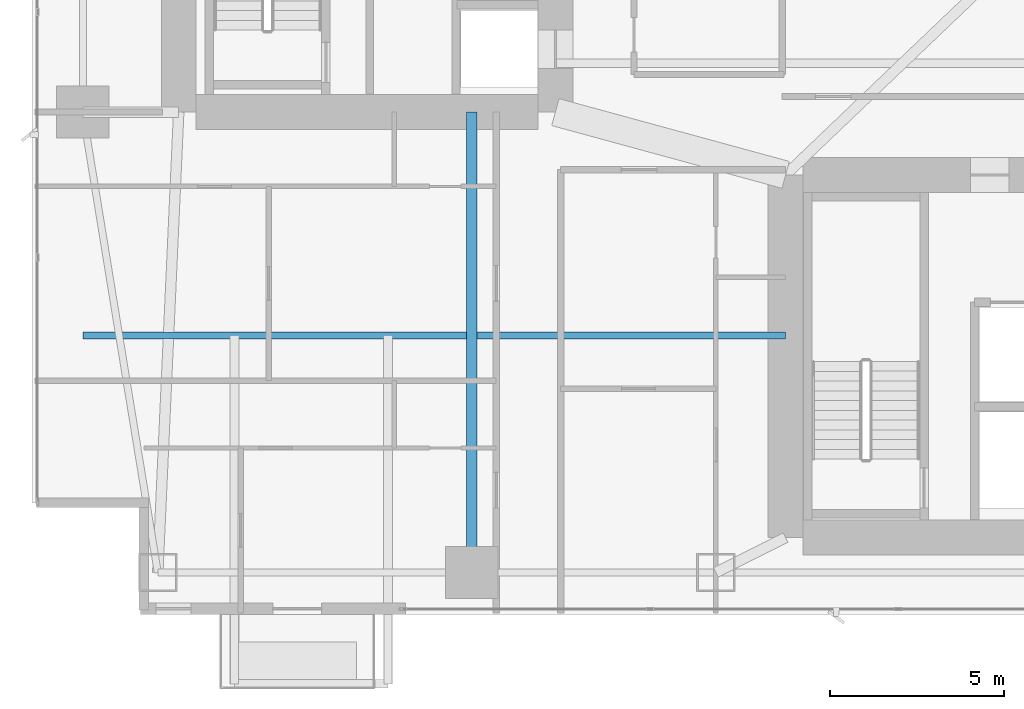
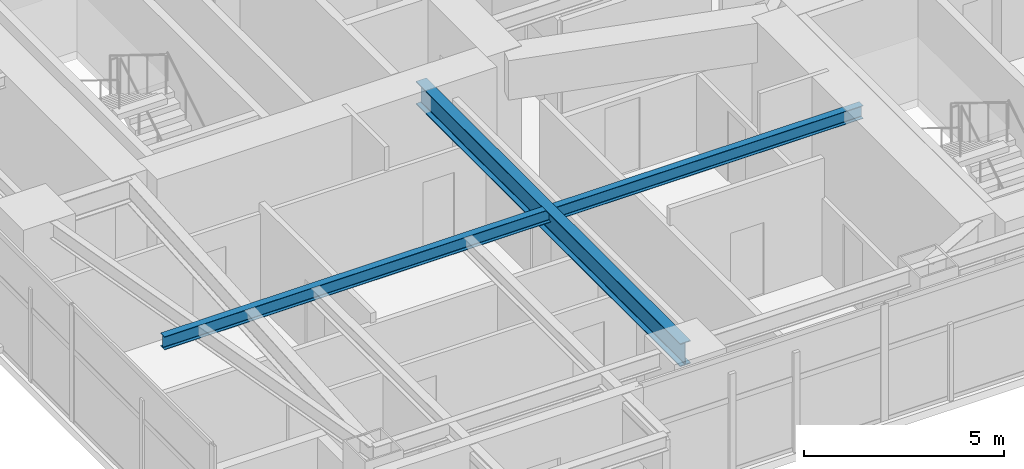
# One storey, part 5 of 30: 2 beams.
"""IFC4 building model written with IfcOpenShell, lengths in metres."""

from ifc_helpers import new_model, si_unit, direction, frame, origin, origin_2d, place, context, subcontext, project, spatial, i_section, extrude, material, material_profile, profile_set, type_object, element, save


model = new_model("IFC4")

# Units and contexts
model_context = context("Model", 3, precision=1e-05, world=origin(), true_north=direction((0.0, 1.0)))
body_context = subcontext(model_context, "Body", "Model", "MODEL_VIEW")
ifc_project = project(units=[si_unit("LENGTHUNIT", "METRE"), si_unit("AREAUNIT", "SQUARE_METRE"), si_unit("VOLUMEUNIT", "CUBIC_METRE"), si_unit("PLANEANGLEUNIT", "RADIAN"), si_unit("MASSUNIT", "GRAM", prefix="KILO")], contexts=[model_context])

# Site, building, storey
site_placement = place(None, origin())
site = spatial("IfcSite", under=ifc_project, at=site_placement, CompositionType="ELEMENT")
building_placement = place(site_placement, origin())
building = spatial("IfcBuilding", under=site, at=building_placement, Name="Calvorn Quay Hotel", CompositionType="ELEMENT")
storey_placement = place(building_placement, frame((0.0, 0.0, 30.800048828125)))
storey = spatial("IfcBuildingStorey", under=building, at=storey_placement, Name="L06", CompositionType="ELEMENT", Elevation=30.800048828125)

# Beams
ifc_material_1 = material(Name="Steel Q390GJC", Category="steel")
ifc_material_profile_1 = material_profile(ifc_material_1, i_section(OverallWidth=0.300048828125, OverallDepth=0.699951171875, WebThickness=0.012939453125, FlangeThickness=0.02392578125, FilletRadius=0.02392578125, at=origin_2d()), Name="HN700x300x13x24")
ifc_profile_set_1 = profile_set([ifc_material_profile_1], Name="Steel Q390GJC")
beam_type_1 = type_object("IfcBeamType", Name="BM-GIRD-MAIN", PredefinedType="BEAM", material=ifc_profile_set_1)
beam_1_placement = place(storey_placement, frame((12.60009765625, 3.60009765625, 3.18994140625), z_axis=(0.0, 1.0, 0.0), x_axis=(-1.0, 0.0, 0.0)))
element("IfcBeam", 1, at=beam_1_placement, inside=storey, type_object=beam_type_1, Name="Beam BG-L06-S1", PredefinedType="BEAM", context=body_context, shape_type="SweptSolid", body=[
    extrude(i_section(OverallWidth=0.300048828125, OverallDepth=0.699951171875, WebThickness=0.012939453125, FlangeThickness=0.02392578125, FilletRadius=0.02392578125, at=origin_2d()), origin(), (0.0, 0.0, 1.0), 13.199951171875),
])
ifc_material_2 = material(Name="Steel Q355B", Category="steel")
ifc_material_profile_2 = material_profile(ifc_material_2, i_section(OverallWidth=0.199951171875, OverallDepth=0.39990234375, WebThickness=0.008056640625, FlangeThickness=0.012939453125, FilletRadius=0.01611328125, at=origin_2d()), Name="HN400x200x8x13")
ifc_profile_set_2 = profile_set([ifc_material_profile_2], Name="Steel Q355B")
beam_type_2 = type_object("IfcBeamType", Name="BM-JOIST-TYP", PredefinedType="JOIST", material=ifc_profile_set_2)
beam_2_placement = place(storey_placement, frame((1.449951171875, 10.39990234375, 3.33984375), z_axis=(1.0, 0.0, 0.0), x_axis=(0.0, 1.0, 0.0)))
element("IfcBeam", 2, at=beam_2_placement, inside=storey, type_object=beam_type_2, Name="Beam BJ-L06-W1", PredefinedType="JOIST", context=body_context, shape_type="SweptSolid", body=[
    extrude(i_section(OverallWidth=0.199951171875, OverallDepth=0.39990234375, WebThickness=0.008056640625, FlangeThickness=0.012939453125, FilletRadius=0.01611328125, at=origin_2d()), origin(), (0.0, 0.0, 1.0), 20.150146484375),
])

save(model, "model.ifc")
